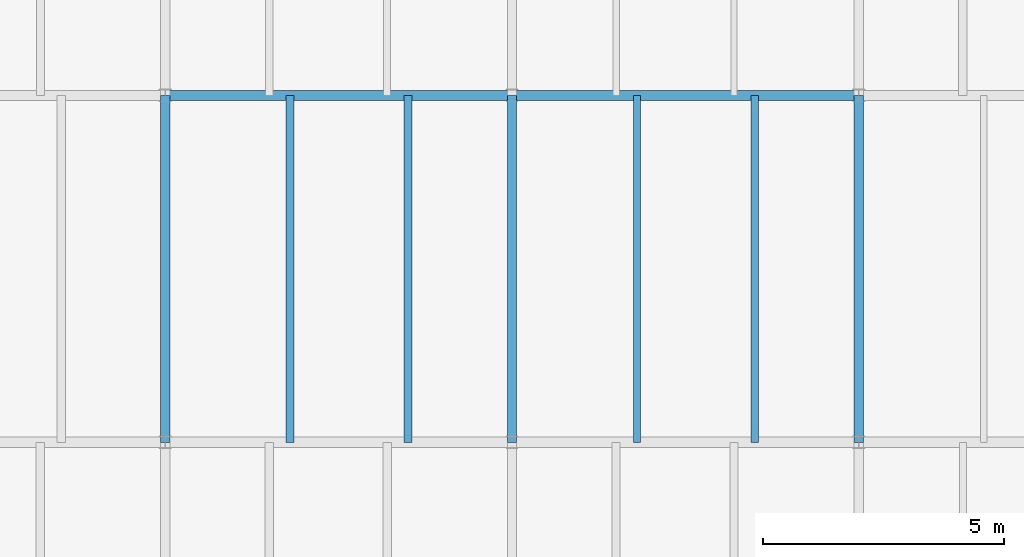
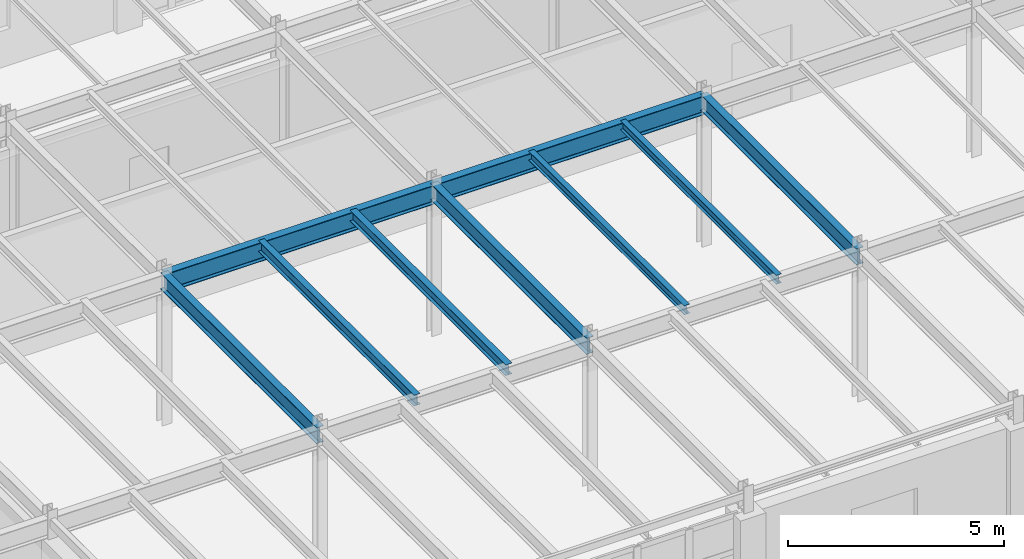
# One storey, part 41 of 137: 9 beams.
"""IFC4 building model written with IfcOpenShell, lengths in metres."""

from ifc_helpers import new_model, si_unit, direction, frame, origin, origin_2d, place, context, subcontext, project, spatial, i_section, extrude, material, material_profile, profile_set, type_object, element, save


model = new_model("IFC4")

# Units and contexts
model_context = context("Model", 3, precision=1e-05, world=origin(), true_north=direction((0.0, 1.0)))
body_context = subcontext(model_context, "Body", "Model", "MODEL_VIEW")
ifc_project = project(units=[si_unit("LENGTHUNIT", "METRE"), si_unit("AREAUNIT", "SQUARE_METRE"), si_unit("VOLUMEUNIT", "CUBIC_METRE"), si_unit("PLANEANGLEUNIT", "RADIAN"), si_unit("MASSUNIT", "GRAM", prefix="KILO")], contexts=[model_context])

# Site, building, storey
site_placement = place(None, origin())
site = spatial("IfcSite", under=ifc_project, at=site_placement, CompositionType="ELEMENT")
building_placement = place(site_placement, origin())
building = spatial("IfcBuilding", under=site, at=building_placement, Name="Kemerveld Promenade Tramway Depot", CompositionType="ELEMENT")
storey_placement = place(building_placement, frame((0.0, 0.0, 5.39990234375)))
storey = spatial("IfcBuildingStorey", under=building, at=storey_placement, Name="L01", CompositionType="ELEMENT", Elevation=5.39990234375)

# Beams
ifc_material = material(Name="Steel S355", Category="steel")
ifc_material_profile_1 = material_profile(ifc_material, i_section(OverallWidth=0.2099609375, OverallDepth=0.53662109375, WebThickness=0.0107421875, FlangeThickness=0.017333984375, FilletRadius=0.0126953125, at=origin_2d()), Name="533x210x101 UB")
ifc_profile_set_1 = profile_set([ifc_material_profile_1], Name="Steel S355")
beam_type_1 = type_object("IfcBeamType", Name="BM-G05", PredefinedType="BEAM", material=ifc_profile_set_1)
for number, where, z_axis, x_axis, name in (
    (1, (64.800048828125, 14.39990234375, 3.981689453125), (1.0, 0.0, 0.0), (0.0, 1.0, 0.0), "BMX-L01-10-11-C"),
    (2, (72.0, 14.39990234375, 3.981689453125), (1.0, 0.0, 0.0), (0.0, 1.0, 0.0), "BMX-L01-11-12-C"),
):
    element("IfcBeam", number, at=place(storey_placement, frame(where, z_axis=z_axis, x_axis=x_axis)), inside=storey, type_object=beam_type_1, Name=name, PredefinedType="BEAM", context=body_context, shape_type="SweptSolid", body=[
        extrude(i_section(OverallWidth=0.2099609375, OverallDepth=0.53662109375, WebThickness=0.0107421875, FlangeThickness=0.017333984375, FilletRadius=0.0126953125, at=origin_2d()), origin(), (0.0, 0.0, 1.0), 7.199951171875),
    ])
ifc_material_profile_2 = material_profile(ifc_material, i_section(OverallWidth=0.19140625, OverallDepth=0.4599609375, WebThickness=0.010009765625, FlangeThickness=0.01611328125, FilletRadius=0.01025390625, at=origin_2d()), Name="457x191x82 UB")
ifc_profile_set_2 = profile_set([ifc_material_profile_2], Name="Steel S355")
beam_type_2 = type_object("IfcBeamType", Name="BM-G06", PredefinedType="BEAM", material=ifc_profile_set_2)
for number, where, z_axis, x_axis, name in (
    (3, (64.800048828125, 7.199951171875, 4.02001953125), (0.0, 1.0, 0.0), (-1.0, 0.0, 0.0), "BMY-L01-10-B-C"),
    (4, (72.0, 7.199951171875, 4.02001953125), (0.0, 1.0, 0.0), (-1.0, 0.0, 0.0), "BMY-L01-11-B-C"),
    (5, (79.199951171875, 7.199951171875, 4.02001953125), (0.0, 1.0, 0.0), (-1.0, 0.0, 0.0), "BMY-L01-12-B-C"),
):
    element("IfcBeam", number, at=place(storey_placement, frame(where, z_axis=z_axis, x_axis=x_axis)), inside=storey, type_object=beam_type_2, Name=name, PredefinedType="BEAM", context=body_context, shape_type="SweptSolid", body=[
        extrude(i_section(OverallWidth=0.19140625, OverallDepth=0.4599609375, WebThickness=0.010009765625, FlangeThickness=0.01611328125, FilletRadius=0.01025390625, at=origin_2d()), origin(), (0.0, 0.0, 1.0), 7.199951171875),
    ])
ifc_material_profile_3 = material_profile(ifc_material, i_section(OverallWidth=0.165771484375, OverallDepth=0.306640625, WebThickness=0.006591796875, FlangeThickness=0.01171875, FilletRadius=0.0087890625, at=origin_2d()), Name="305x165x46 UB")
ifc_profile_set_3 = profile_set([ifc_material_profile_3], Name="Steel S355")
beam_type_3 = type_object("IfcBeamType", Name="BM-J01", PredefinedType="JOIST", material=ifc_profile_set_3)
for number, where, z_axis, x_axis, name in (
    (6, (67.39208984375, 7.199951171875, 4.0966796875), (0.0, 1.0, 0.0), (-1.0, 0.0, 0.0), "JST-L01-10-B-1"),
    (7, (69.840087890625, 7.199951171875, 4.0966796875), (0.0, 1.0, 0.0), (-1.0, 0.0, 0.0), "JST-L01-10-B-2"),
):
    element("IfcBeam", number, at=place(storey_placement, frame(where, z_axis=z_axis, x_axis=x_axis)), inside=storey, type_object=beam_type_3, Name=name, PredefinedType="JOIST", context=body_context, shape_type="SweptSolid", body=[
        extrude(i_section(OverallWidth=0.165771484375, OverallDepth=0.306640625, WebThickness=0.006591796875, FlangeThickness=0.01171875, FilletRadius=0.0087890625, at=origin_2d()), origin(), (0.0, 0.0, 1.0), 7.199951171875),
    ])
ifc_material_profile_4 = material_profile(ifc_material, i_section(OverallWidth=0.146484375, OverallDepth=0.256103515625, WebThickness=0.00634765625, FlangeThickness=0.010986328125, FilletRadius=0.007568359375, at=origin_2d()), Name="254x146x37 UB")
ifc_profile_set_4 = profile_set([ifc_material_profile_4], Name="Steel S355")
beam_type_4 = type_object("IfcBeamType", Name="BM-J02", PredefinedType="JOIST", material=ifc_profile_set_4)
for number, where, z_axis, x_axis, name in (
    (8, (74.592041015625, 7.199951171875, 4.1220703125), (0.0, 1.0, 0.0), (-1.0, 0.0, 0.0), "JST-L01-11-B-1"),
    (9, (77.0400390625, 7.199951171875, 4.1220703125), (0.0, 1.0, 0.0), (-1.0, 0.0, 0.0), "JST-L01-11-B-2"),
):
    element("IfcBeam", number, at=place(storey_placement, frame(where, z_axis=z_axis, x_axis=x_axis)), inside=storey, type_object=beam_type_4, Name=name, PredefinedType="JOIST", context=body_context, shape_type="SweptSolid", body=[
        extrude(i_section(OverallWidth=0.146484375, OverallDepth=0.256103515625, WebThickness=0.00634765625, FlangeThickness=0.010986328125, FilletRadius=0.007568359375, at=origin_2d()), origin(), (0.0, 0.0, 1.0), 7.199951171875),
    ])

save(model, "model.ifc")
